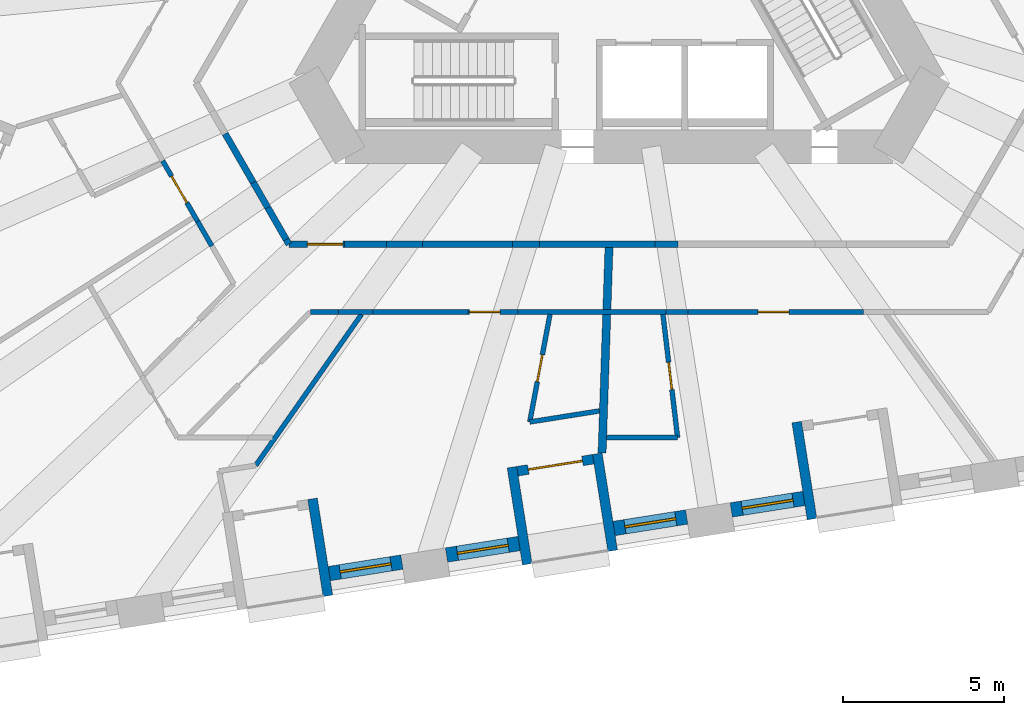
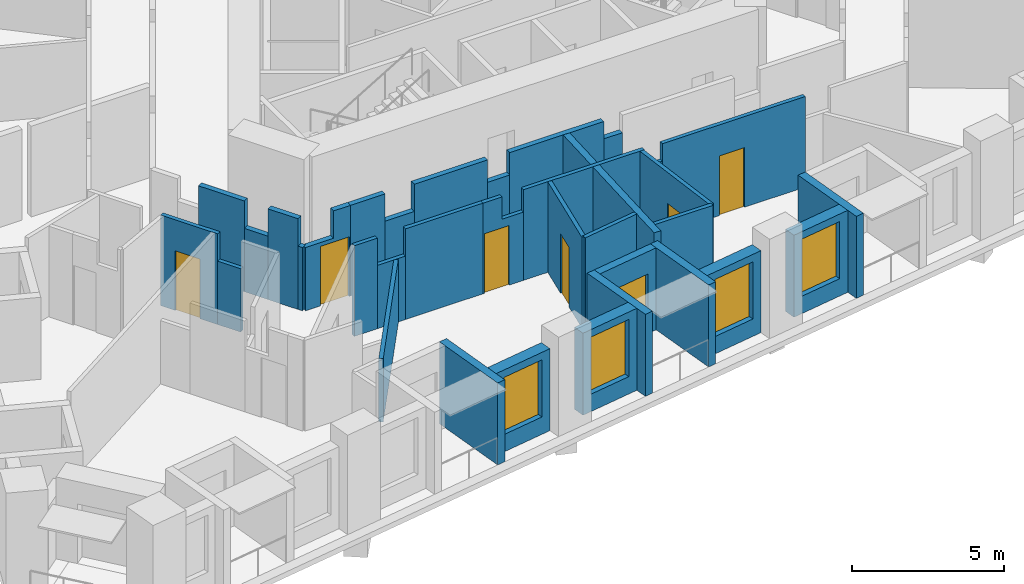
# One storey, part 3 of 14: 35 walls, 7 doors, 4 windows, 11 openings.
"""IFC4 building model written with IfcOpenShell, lengths in metres."""

import ifcopenshell
import ifcopenshell.guid

model = None  # the IFC model being written
_history = None  # IfcOwnerHistory: only IFC2X3 demands one
_inside = {}  # id of a spatial element -> (the spatial element, [elements in it])
_under = {}  # id of a project, library or spatial element -> (it, [spatial elements below it])
_declared = {}  # id of a project -> (the project, [libraries it declares])
_typed = {}  # id of a type object -> (the type object, [elements of that type])
_made_of = {}  # id of a material, layer set ... -> (it, [elements and type objects made of it])


def new_model(schema):
    """Start an empty IFC model of exactly this schema.

    Asked for "IFC4X3", IfcOpenShell would pick the latest addendum, in which some entities
    have other attributes; the version numbers below select the first issue.
    IFC2X3 requires an IfcOwnerHistory on every rooted entity: one is made here for all.
    """
    global model, _history
    if schema == "IFC4X3":
        model = ifcopenshell.file(schema_version=(4, 3, 0, 0))
    else:
        model = ifcopenshell.file(schema=schema)
    _inside.clear()
    _under.clear()
    _declared.clear()
    _typed.clear()
    _made_of.clear()
    _history = None
    if model.schema == "IFC2X3":
        org = make("IfcOrganization", Name="unknown")
        user = make(
            "IfcPersonAndOrganization",
            ThePerson=make("IfcPerson", FamilyName="unknown"),
            TheOrganization=org,
        )
        app = make(
            "IfcApplication",
            ApplicationDeveloper=org,
            Version="unknown",
            ApplicationFullName="unknown",
            ApplicationIdentifier="unknown",
        )
        _history = make(
            "IfcOwnerHistory",
            OwningUser=user,
            OwningApplication=app,
            ChangeAction="ADDED",
            CreationDate=0,
        )
    return model


def make(cls, **values):
    """One entity of the class cls with the attributes given. An attribute that is None is left unset."""
    return model.create_entity(
        cls, **{name: value for name, value in values.items() if value is not None}
    )


def rooted(cls, **values):
    """An entity with a GlobalId (a new one), such as an element, a storey or a relation."""
    return make(cls, GlobalId=ifcopenshell.guid.new(), OwnerHistory=_history, **values)


def si_unit(unit_type, name, prefix=None):
    """IfcSIUnit, for example si_unit("LENGTHUNIT", "METRE", prefix="MILLI")."""
    return make("IfcSIUnit", UnitType=unit_type, Prefix=prefix, Name=name)


def assignment(units):
    """IfcUnitAssignment: the units of a project."""
    return None if units is None else make("IfcUnitAssignment", Units=units)


def point(xyz):
    """IfcCartesianPoint."""
    return None if xyz is None else make("IfcCartesianPoint", Coordinates=xyz)


def direction(xyz):
    """IfcDirection."""
    return None if xyz is None else make("IfcDirection", DirectionRatios=xyz)


def frame(location, z_axis=None, x_axis=None):
    """IfcAxis2Placement3D, a coordinate frame: its origin and axes. An axis left out is left unset."""
    return make(
        "IfcAxis2Placement3D",
        Location=point(location),
        Axis=direction(z_axis),
        RefDirection=direction(x_axis),
    )


def frame_2d(location, x_axis=None):
    """IfcAxis2Placement2D, a coordinate frame in the plane: its origin and x axis."""
    return make(
        "IfcAxis2Placement2D", Location=point(location), RefDirection=direction(x_axis)
    )


def origin():
    """The frame at (0, 0, 0) with its axes left unset."""
    return frame((0.0, 0.0, 0.0))


def place(relative_to, where):
    """IfcLocalPlacement: puts the frame where relative to a parent placement (None: the world)."""
    return make(
        "IfcLocalPlacement", PlacementRelTo=relative_to, RelativePlacement=where
    )


def context(
    kind, dimensions, precision=None, world=None, true_north=None, identifier=None
):
    """IfcGeometricRepresentationContext, for example the 3D "Model" context."""
    return make(
        "IfcGeometricRepresentationContext",
        ContextIdentifier=identifier,
        ContextType=kind,
        CoordinateSpaceDimension=dimensions,
        Precision=precision,
        WorldCoordinateSystem=world,
        TrueNorth=true_north,
    )


def subcontext(parent, identifier, kind, view, scale=None):
    """IfcGeometricRepresentationSubContext, for example "Body" below "Model"."""
    return make(
        "IfcGeometricRepresentationSubContext",
        ContextIdentifier=identifier,
        ContextType=kind,
        ParentContext=parent,
        TargetScale=scale,
        TargetView=view,
    )


def project(units=None, contexts=None):
    """IfcProject with its units and contexts."""
    return rooted(
        "IfcProject",
        Name="project",
        RepresentationContexts=contexts,
        UnitsInContext=assignment(units),
    )


def spatial(cls, under=None, at=None, **own):
    """A site, building, storey or space (cls), placed at a placement, below another one or the project."""
    s = rooted(cls, ObjectPlacement=at, **own)
    if under is not None:
        _under.setdefault(under.id(), (under, []))[1].append(s)
    return s


def polyline(points):
    """IfcPolyline through the points."""
    return make("IfcPolyline", Points=[point(p) for p in points])


def profile(cls, at=None, kind="AREA", **sizes):
    """A parametric profile (cls). Its sizes go by their IFC names, for example OverallWidth=200.0."""
    return make(cls, ProfileType=kind, Position=at, **sizes)


def rectangle(**sizes):
    """IfcRectangleProfileDef."""
    return profile("IfcRectangleProfileDef", **sizes)


def outline(outer, holes=None, kind="AREA"):
    """IfcArbitraryClosedProfileDef: a profile drawn as a closed curve; with holes, ...WithVoids."""
    if holes is None:
        return make("IfcArbitraryClosedProfileDef", ProfileType=kind, OuterCurve=outer)
    return make(
        "IfcArbitraryProfileDefWithVoids",
        ProfileType=kind,
        OuterCurve=outer,
        InnerCurves=holes,
    )


def extrude(swept, where, along, depth):
    """IfcExtrudedAreaSolid: the profile swept, set in the frame where, extruded along a direction by depth."""
    return make(
        "IfcExtrudedAreaSolid",
        SweptArea=swept,
        Position=where,
        ExtrudedDirection=direction(along),
        Depth=depth,
    )


def shape(context_of_items, identifier, shape_type, items):
    """IfcShapeRepresentation: the items that make up one representation, for example the "Body"."""
    return make(
        "IfcShapeRepresentation",
        ContextOfItems=context_of_items,
        RepresentationIdentifier=identifier,
        RepresentationType=shape_type,
        Items=items,
    )


def material(Name=None, Category=None):
    """IfcMaterial."""
    return make("IfcMaterial", Name=Name, Category=Category)


def layer(
    of_material, thickness, ventilated=None, Name=None, Category=None, Priority=None
):
    """IfcMaterialLayer: one layer of a wall or slab, of a material (None: an air gap)."""
    return make(
        "IfcMaterialLayer",
        Material=of_material,
        LayerThickness=thickness,
        IsVentilated=ventilated,
        Name=Name,
        Category=Category,
        Priority=Priority,
    )


def layer_set(layers, Name=None):
    """IfcMaterialLayerSet."""
    return make("IfcMaterialLayerSet", MaterialLayers=layers, LayerSetName=Name)


def made_of(thing, what):
    """Note that an element or type object is made of a material, layer set ...; save() writes the relation."""
    if what is not None:
        _made_of.setdefault(what.id(), (what, []))[1].append(thing)
    return thing


def type_object(cls, material=None, **own):
    """A type object (cls), such as IfcWallType, which elements share."""
    return made_of(rooted(cls, **own), material)


def element(
    cls,
    number,
    at=None,
    inside=None,
    cuts=None,
    type_object=None,
    material=None,
    context=None,
    identifier="Body",
    shape_type=None,
    held_by="IfcProductDefinitionShape",
    body=None,
    shapes=None,
    **own,
):
    """One element of the class cls, such as IfcWall. Its Tag is "e" and its number.

    at: its placement. inside: the storey or other place that contains it. cuts: it is an
    opening in that element (IfcRelVoidsElement). A single representation is given by context,
    identifier, shape_type and body (its items); several are given by shapes. held_by: the class
    of the entity that holds the representations. save() writes the other relations.
    """
    e = rooted(cls, Tag="e%d" % number, ObjectPlacement=at, **own)
    if body is not None:
        shapes = [shape(context, identifier, shape_type, body)]
    if shapes is not None:
        e.Representation = make(held_by, Representations=shapes)
    if inside is not None:
        _inside.setdefault(inside.id(), (inside, []))[1].append(e)
    if cuts is not None:
        rooted(
            "IfcRelVoidsElement", RelatingBuildingElement=cuts, RelatedOpeningElement=e
        )
    if type_object is not None:
        _typed.setdefault(type_object.id(), (type_object, []))[1].append(e)
    return made_of(e, material)


def fill(opening, filler):
    """IfcRelFillsElement: the door or window that sits in an opening."""
    return rooted(
        "IfcRelFillsElement",
        RelatingOpeningElement=opening,
        RelatedBuildingElement=filler,
    )


def aggregate(whole, parts):
    """IfcRelAggregates: a whole, such as a stair, and the parts it consists of."""
    return rooted("IfcRelAggregates", RelatingObject=whole, RelatedObjects=parts)


def save(model, path):
    """Write the relations noted so far, then the file.

    IfcRelAggregates (storeys below a building ...), IfcRelContainedInSpatialStructure (elements
    in a storey), IfcRelDefinesByType, IfcRelAssociatesMaterial and IfcRelDeclares: one each for
    every whole, place, type object, material and project.
    """
    for whole, parts in _under.values():
        aggregate(whole, parts)
    for where, things in _inside.values():
        rooted(
            "IfcRelContainedInSpatialStructure",
            RelatedElements=things,
            RelatingStructure=where,
        )
    for kind, things in _typed.values():
        rooted("IfcRelDefinesByType", RelatedObjects=things, RelatingType=kind)
    for what, things in _made_of.values():
        rooted("IfcRelAssociatesMaterial", RelatedObjects=things, RelatingMaterial=what)
    for by, libraries in _declared.values():
        rooted("IfcRelDeclares", RelatingContext=by, RelatedDefinitions=libraries)
    model.write(path)


model = new_model("IFC4")

# Units and contexts
model_context = context("Model", 3, precision=1e-05, world=origin(), true_north=direction((0.0, 1.0)))
body_context = subcontext(model_context, "Body", "Model", "MODEL_VIEW")
ifc_project = project(units=[si_unit("LENGTHUNIT", "METRE"), si_unit("AREAUNIT", "SQUARE_METRE"), si_unit("VOLUMEUNIT", "CUBIC_METRE"), si_unit("PLANEANGLEUNIT", "RADIAN"), si_unit("MASSUNIT", "GRAM", prefix="KILO")], contexts=[model_context])

# Site, building, storey
site_placement = place(None, origin())
site = spatial("IfcSite", under=ifc_project, at=site_placement, CompositionType="ELEMENT")
building_placement = place(site_placement, origin())
building = spatial("IfcBuilding", under=site, at=building_placement, Name="Tramontana Tower", CompositionType="ELEMENT")
storey_placement = place(building_placement, frame((0.0, 0.0, 63.199951171875)))
storey = spatial("IfcBuildingStorey", under=building, at=storey_placement, Name="L13", CompositionType="ELEMENT", Elevation=63.199951171875)

# Walls
ifc_material_1 = material(Name="Blockwork", Category="masonry")
ifc_layer_1 = layer(ifc_material_1, 0.199951171875)
ifc_layer_set_1 = layer_set([ifc_layer_1], Name="ENTRY WALL 200")
wall_type_1 = type_object("IfcWallType", Name="ENTRY WALL 200", PredefinedType="SOLIDWALL", material=ifc_layer_set_1)
wall_1_placement = place(storey_placement, frame((1.8193359375, -9.25, 0.0), z_axis=(0.0, 0.0, 1.0), x_axis=(-1.0, 0.0, 0.0)))
element("IfcWall", 1, at=wall_1_placement, inside=storey, type_object=wall_type_1, Name="Wall v11-ew2-3", PredefinedType="SOLIDWALL", context=body_context, shape_type="SweptSolid", body=[
    extrude(rectangle(XDim=0.708740234375, YDim=0.199951171875, at=frame_2d((0.3544921875, 0.0))), origin(), (0.0, 0.0, 1.0), 2.949951171875),
])
wall_2_placement = place(storey_placement, frame((1.110595703125, -9.25, 0.0), z_axis=(0.0, 0.0, 1.0), x_axis=(-1.0, 0.0, 0.0)))
element("IfcWall", 2, at=wall_2_placement, inside=storey, type_object=wall_type_1, Name="Wall v11-ew2-4", PredefinedType="SOLIDWALL", context=body_context, shape_type="SweptSolid", body=[
    extrude(rectangle(XDim=3.585205078125, YDim=0.199951171875, at=frame_2d((1.79248046875, 0.0))), origin(), (0.0, 0.0, 1.0), 3.650146484375),
])
wall_3_placement = place(storey_placement, frame((-2.474609375, -9.25, 0.0), z_axis=(0.0, 0.0, 1.0), x_axis=(-1.0, 0.0, 0.0)))
element("IfcWall", 3, at=wall_3_placement, inside=storey, type_object=wall_type_1, Name="Wall v11-ew2-5", PredefinedType="SOLIDWALL", context=body_context, shape_type="SweptSolid", body=[
    extrude(rectangle(XDim=0.838134765625, YDim=0.199951171875, at=frame_2d((0.4189453125, 0.0))), origin(), (0.0, 0.0, 1.0), 2.75),
])
wall_4_placement = place(storey_placement, frame((-3.312744140625, -9.25, 0.0), z_axis=(0.0, 0.0, 1.0), x_axis=(-1.0, 0.0, 0.0)))
element("IfcWall", 4, at=wall_4_placement, inside=storey, type_object=wall_type_1, Name="Wall v11-ew2-6", PredefinedType="SOLIDWALL", context=body_context, shape_type="SweptSolid", body=[
    extrude(rectangle(XDim=2.793701171875, YDim=0.199951171875, at=frame_2d((1.39697265625, 0.0))), origin(), (0.0, 0.0, 1.0), 3.650146484375),
])
wall_5_placement = place(storey_placement, frame((-6.1064453125, -9.25, 0.0), z_axis=(0.0, 0.0, 1.0), x_axis=(-1.0, 0.0, 0.0)))
element("IfcWall", 5, at=wall_5_placement, inside=storey, type_object=wall_type_1, Name="Wall v11-ew2-7", PredefinedType="SOLIDWALL", context=body_context, shape_type="SweptSolid", body=[
    extrude(rectangle(XDim=1.10888671875, YDim=0.199951171875, at=frame_2d((0.554443359375, 0.0))), origin(), (0.0, 0.0, 1.0), 2.550048828125),
])
wall_6_placement = place(storey_placement, frame((-7.21533203125, -9.25, 0.0), z_axis=(0.0, 0.0, 1.0), x_axis=(-1.0, 0.0, 0.0)))
element("IfcWall", 6, at=wall_6_placement, inside=storey, type_object=wall_type_1, Name="Wall v11-ew2-8", PredefinedType="SOLIDWALL", context=body_context, shape_type="SweptSolid", body=[
    extrude(rectangle(XDim=1.3125, YDim=0.199951171875, at=frame_2d((0.65625, 0.0))), origin(), (0.0, 0.0, 1.0), 3.650146484375),
])

# Wall, opening, door
wall_7_placement = place(storey_placement, frame((-10.248046875, -9.25, 0.0), z_axis=(0.0, 0.0, 1.0), x_axis=(1.0, 0.0, 0.0)))
wall_7 = element("IfcWall", 7, at=wall_7_placement, inside=storey, type_object=wall_type_1, Name="Wall v11-ew2-9", PredefinedType="SOLIDWALL", context=body_context, shape_type="SweptSolid", body=[
    extrude(outline(polyline([(0.0, 0.0), (1.72021484375, 0.0), (1.72021484375, 3.650146484375), (1.0703125, 3.650146484375), (1.0703125, 2.550048828125), (0.0, 2.550048828125), (0.0, 0.0)])), frame((0.0, 0.10009765625, 0.0), z_axis=(0.0, -1.0, 0.0), x_axis=(1.0, 0.0, 0.0)), (0.0, 0.0, 1.0), 0.199951171875),
])
opening_1_placement = place(wall_7_placement, frame((0.570068359375, 0.0, 0.0)))
opening_1 = element("IfcOpeningElement", 8, at=opening_1_placement, cuts=wall_7, Name="Opening B1B-30", PredefinedType="OPENING", context=body_context, shape_type="SweptSolid", body=[
    extrude(rectangle(XDim=1.10009765625, YDim=2.39990234375, at=frame_2d((0.550048828125, 1.199951171875))), frame((0.0, 0.10986328125, 0.0), z_axis=(0.0, -1.0, 0.0), x_axis=(1.0, 0.0, 0.0)), (0.0, 0.0, 1.0), 0.219970703125),
])
ifc_material_2 = material(Name="Painted timber", Category="wood")
door_type_1 = type_object("IfcDoorType", Name="DOOR ENTRY 1100", OperationType="SINGLE_SWING_LEFT", PredefinedType="DOOR", material=ifc_material_2)
door_1_placement = place(opening_1_placement, origin())
door_1 = element("IfcDoor", 9, at=door_1_placement, inside=storey, type_object=door_type_1, Name="Door B1B-30", OperationType="SINGLE_SWING_RIGHT", OverallHeight=2.39990234375, OverallWidth=1.10009765625, PredefinedType="DOOR", context=body_context, shape_type="SweptSolid", body=[
    extrude(rectangle(XDim=1.10009765625, YDim=2.39990234375, at=frame_2d((0.550048828125, 1.199951171875))), frame((0.0, 0.02490234375, 0.0), z_axis=(0.0, -1.0, 0.0), x_axis=(1.0, 0.0, 0.0)), (0.0, 0.0, 1.0), 0.050048828125),
])
fill(opening_1, door_1)

# Walls
wall_8_placement = place(storey_placement, frame((-10.248046875, -9.25, 0.0), z_axis=(0.0, 0.0, 1.0), x_axis=(-0.499516518495, 0.866304362075, 0.0)))
element("IfcWall", 10, at=wall_8_placement, inside=storey, type_object=wall_type_1, Name="Wall v11-ew3-0", PredefinedType="SOLIDWALL", context=body_context, shape_type="SweptSolid", body=[
    extrude(rectangle(XDim=0.171142578125, YDim=0.199951171875, at=frame_2d((0.08544921875, 0.0))), origin(), (0.0, 0.0, 1.0), 2.550048828125),
])
wall_9_placement = place(storey_placement, frame((-10.33349609375, -9.101806640625, 0.0), z_axis=(0.0, 0.0, 1.0), x_axis=(-0.500049527193, 0.865996807358, 0.0)))
element("IfcWall", 11, at=wall_9_placement, inside=storey, type_object=wall_type_1, Name="Wall v11-ew3-1", PredefinedType="SOLIDWALL", context=body_context, shape_type="SweptSolid", body=[
    extrude(rectangle(XDim=1.1416015625, YDim=0.199951171875, at=frame_2d((0.57080078125, 0.0))), origin(), (0.0, 0.0, 1.0), 3.650146484375),
])
wall_10_placement = place(storey_placement, frame((-10.904296875, -8.11328125, 0.0), z_axis=(0.0, 0.0, 1.0), x_axis=(-0.499948710669, 0.866055013668, 0.0)))
element("IfcWall", 12, at=wall_10_placement, inside=storey, type_object=wall_type_1, Name="Wall v11-ew3-2", PredefinedType="SOLIDWALL", context=body_context, shape_type="SweptSolid", body=[
    extrude(rectangle(XDim=0.90283203125, YDim=0.199951171875, at=frame_2d((0.451416015625, 0.0))), origin(), (0.0, 0.0, 1.0), 2.550048828125),
])
wall_11_placement = place(storey_placement, frame((-11.355712890625, -7.331298828125, 0.0), z_axis=(0.0, 0.0, 1.0), x_axis=(-0.50000494408, 0.866022549299, 0.0)))
element("IfcWall", 13, at=wall_11_placement, inside=storey, type_object=wall_type_1, Name="Wall v11-ew3-3", PredefinedType="SOLIDWALL", context=body_context, shape_type="SweptSolid", body=[
    extrude(rectangle(XDim=1.74560546875, YDim=0.199951171875, at=frame_2d((0.872802734375, 0.0))), origin(), (0.0, 0.0, 1.0), 3.650146484375),
])

# Wall, opening, window
ifc_material_3 = material(Name="Precast concrete 60 MPa", Category="concrete")
ifc_layer_2 = layer(ifc_material_3, 0.449951171875)
ifc_layer_set_2 = layer_set([ifc_layer_2], Name="Precast concrete 60 MPa, 450 mm")
wall_type_2 = type_object("IfcWallType", Name="EW1 Stone-faced precast wall 450", PredefinedType="SOLIDWALL", material=ifc_layer_set_2)
wall_12_placement = place(storey_placement, frame((-8.99658203125, -19.47216796875, 0.0), z_axis=(0.0, 0.0, 1.0), x_axis=(0.987685675151, 0.156451293065, 0.0)))
wall_12 = element("IfcWall", 14, at=wall_12_placement, inside=storey, type_object=wall_type_2, Name="External wall L13 face 1 bay 2", PredefinedType="SOLIDWALL", context=body_context, shape_type="SweptSolid", body=[
    extrude(rectangle(XDim=2.282958984375, YDim=0.449951171875, at=frame_2d((1.1416015625, 0.0))), origin(), (0.0, 0.0, 1.0), 3.300048828125),
])
opening_2_placement = place(wall_12_placement, frame((0.341552734375, 0.0, 0.699951171875)))
opening_2 = element("IfcOpeningElement", 15, at=opening_2_placement, cuts=wall_12, Name="Opening M1", PredefinedType="OPENING", context=body_context, shape_type="SweptSolid", body=[
    extrude(rectangle(XDim=1.60009765625, YDim=2.300048828125, at=frame_2d((0.800048828125, 1.14990234375))), frame((0.0, 0.23486328125, 0.0), z_axis=(0.0, -1.0, 0.0), x_axis=(1.0, 0.0, 0.0)), (0.0, 0.0, 1.0), 0.469970703125),
])
ifc_material_4 = material(Name="Aluminum frame, double glazing unit", Category="aluminium")
window_type = type_object("IfcWindowType", Name="M1 Window 1.6 x 2.3", PartitioningType="SINGLE_PANEL", PredefinedType="WINDOW", material=ifc_material_4)
window_1_placement = place(opening_2_placement, origin())
window_1 = element("IfcWindow", 16, at=window_1_placement, inside=storey, type_object=window_type, Name="Window M1 L13 face 1 module 6", OverallHeight=2.300048828125, OverallWidth=1.60009765625, PartitioningType="SINGLE_PANEL", PredefinedType="WINDOW", context=body_context, shape_type="SweptSolid", body=[
    extrude(rectangle(XDim=1.60009765625, YDim=2.300048828125, at=frame_2d((0.800048828125, 1.14990234375))), frame((0.0, 0.030029296875, 0.0), z_axis=(0.0, -1.0, 0.0), x_axis=(1.0, 0.0, 0.0)), (0.0, 0.0, 1.0), 0.06005859375),
])
fill(opening_2, window_1)

wall_13_placement = place(storey_placement, frame((-5.35888671875, -18.89599609375, 0.0), z_axis=(0.0, 0.0, 1.0), x_axis=(0.987685675151, 0.156451293065, 0.0)))
wall_13 = element("IfcWall", 17, at=wall_13_placement, inside=storey, type_object=wall_type_2, Name="External wall L13 face 1 bay 3", PredefinedType="SOLIDWALL", context=body_context, shape_type="SweptSolid", body=[
    extrude(rectangle(XDim=2.282958984375, YDim=0.449951171875, at=frame_2d((1.1416015625, 0.0))), origin(), (0.0, 0.0, 1.0), 3.300048828125),
])
opening_3_placement = place(wall_13_placement, frame((0.341552734375, 0.0, 0.699951171875)))
opening_3 = element("IfcOpeningElement", 18, at=opening_3_placement, cuts=wall_13, Name="Opening M1", PredefinedType="OPENING", context=body_context, shape_type="SweptSolid", body=[
    extrude(rectangle(XDim=1.60009765625, YDim=2.300048828125, at=frame_2d((0.800048828125, 1.14990234375))), frame((0.0, 0.23486328125, 0.0), z_axis=(0.0, -1.0, 0.0), x_axis=(1.0, 0.0, 0.0)), (0.0, 0.0, 1.0), 0.469970703125),
])
window_2_placement = place(opening_3_placement, origin())
window_2 = element("IfcWindow", 19, at=window_2_placement, inside=storey, type_object=window_type, Name="Window M1 L13 face 1 module 7", OverallHeight=2.300048828125, OverallWidth=1.60009765625, PartitioningType="SINGLE_PANEL", PredefinedType="WINDOW", context=body_context, shape_type="SweptSolid", body=[
    extrude(rectangle(XDim=1.60009765625, YDim=2.300048828125, at=frame_2d((0.800048828125, 1.14990234375))), frame((0.0, 0.030029296875, 0.0), z_axis=(0.0, -1.0, 0.0), x_axis=(1.0, 0.0, 0.0)), (0.0, 0.0, 1.0), 0.06005859375),
])
fill(opening_3, window_2)

wall_14_placement = place(storey_placement, frame((-0.15771484375, -18.072265625, 0.0), z_axis=(0.0, 0.0, 1.0), x_axis=(0.987685675151, 0.156451293065, 0.0)))
wall_14 = element("IfcWall", 20, at=wall_14_placement, inside=storey, type_object=wall_type_2, Name="External wall L13 face 1 bay 3", PredefinedType="SOLIDWALL", context=body_context, shape_type="SweptSolid", body=[
    extrude(rectangle(XDim=2.282958984375, YDim=0.449951171875, at=frame_2d((1.1416015625, 0.0))), origin(), (0.0, 0.0, 1.0), 3.300048828125),
])
opening_4_placement = place(wall_14_placement, frame((0.341552734375, 0.0, 0.699951171875)))
opening_4 = element("IfcOpeningElement", 21, at=opening_4_placement, cuts=wall_14, Name="Opening M1", PredefinedType="OPENING", context=body_context, shape_type="SweptSolid", body=[
    extrude(rectangle(XDim=1.60009765625, YDim=2.300048828125, at=frame_2d((0.800048828125, 1.14990234375))), frame((0.0, 0.23486328125, 0.0), z_axis=(0.0, -1.0, 0.0), x_axis=(1.0, 0.0, 0.0)), (0.0, 0.0, 1.0), 0.469970703125),
])
window_3_placement = place(opening_4_placement, origin())
window_3 = element("IfcWindow", 22, at=window_3_placement, inside=storey, type_object=window_type, Name="Window M1 L13 face 1 module 9", OverallHeight=2.300048828125, OverallWidth=1.60009765625, PartitioningType="SINGLE_PANEL", PredefinedType="WINDOW", context=body_context, shape_type="SweptSolid", body=[
    extrude(rectangle(XDim=1.60009765625, YDim=2.300048828125, at=frame_2d((0.800048828125, 1.14990234375))), frame((0.0, 0.030029296875, 0.0), z_axis=(0.0, -1.0, 0.0), x_axis=(1.0, 0.0, 0.0)), (0.0, 0.0, 1.0), 0.06005859375),
])
fill(opening_4, window_3)

wall_15_placement = place(storey_placement, frame((3.479736328125, -17.49609375, 0.0), z_axis=(0.0, 0.0, 1.0), x_axis=(0.987685675151, 0.156451293065, 0.0)))
wall_15 = element("IfcWall", 23, at=wall_15_placement, inside=storey, type_object=wall_type_2, Name="External wall L13 face 1 bay 4", PredefinedType="SOLIDWALL", context=body_context, shape_type="SweptSolid", body=[
    extrude(rectangle(XDim=2.282958984375, YDim=0.449951171875, at=frame_2d((1.1416015625, 0.0))), origin(), (0.0, 0.0, 1.0), 3.300048828125),
])
opening_5_placement = place(wall_15_placement, frame((0.341552734375, 0.0, 0.699951171875)))
opening_5 = element("IfcOpeningElement", 24, at=opening_5_placement, cuts=wall_15, Name="Opening M1", PredefinedType="OPENING", context=body_context, shape_type="SweptSolid", body=[
    extrude(rectangle(XDim=1.60009765625, YDim=2.300048828125, at=frame_2d((0.800048828125, 1.14990234375))), frame((0.0, 0.23486328125, 0.0), z_axis=(0.0, -1.0, 0.0), x_axis=(1.0, 0.0, 0.0)), (0.0, 0.0, 1.0), 0.469970703125),
])
window_4_placement = place(opening_5_placement, origin())
window_4 = element("IfcWindow", 25, at=window_4_placement, inside=storey, type_object=window_type, Name="Window M1 L13 face 1 module 10", OverallHeight=2.300048828125, OverallWidth=1.60009765625, PartitioningType="SINGLE_PANEL", PredefinedType="WINDOW", context=body_context, shape_type="SweptSolid", body=[
    extrude(rectangle(XDim=1.60009765625, YDim=2.300048828125, at=frame_2d((0.800048828125, 1.14990234375))), frame((0.0, 0.030029296875, 0.0), z_axis=(0.0, -1.0, 0.0), x_axis=(1.0, 0.0, 0.0)), (0.0, 0.0, 1.0), 0.06005859375),
])
fill(opening_5, window_4)

# Wall
ifc_material_5 = material(Name="Precast concrete 60 MPa", Category="concrete")
ifc_layer_3 = layer(ifc_material_5, 0.300048828125)
ifc_layer_set_3 = layer_set([ifc_layer_3], Name="LW1 Stone-faced loggia wall 300")
wall_type_3 = type_object("IfcWallType", Name="LW1 Stone-faced loggia wall 300", PredefinedType="SOLIDWALL", material=ifc_layer_set_3)
wall_16_placement = place(storey_placement, frame((-9.0390625, -20.162353515625, 0.0), z_axis=(0.0, 0.0, 1.0), x_axis=(-0.156488687365, 0.987679751097, 0.0)))
element("IfcWall", 26, at=wall_16_placement, inside=storey, type_object=wall_type_3, Name="Loggia return L13 G1S1.4b", PredefinedType="SOLIDWALL", context=body_context, shape_type="SweptSolid", body=[
    extrude(rectangle(XDim=3.050048828125, YDim=0.300048828125, at=frame_2d((1.52490234375, 0.0))), origin(), (0.0, 0.0, 1.0), 3.300048828125),
])

# Wall, opening, door
wall_17_placement = place(storey_placement, frame((-3.15576171875, -16.294189453125, 0.0), z_axis=(0.0, 0.0, 1.0), x_axis=(0.987685586014, 0.156451855793, 0.0)))
wall_17 = element("IfcWall", 27, at=wall_17_placement, inside=storey, type_object=wall_type_3, Name="Loggia wall L13 G1S1.7", PredefinedType="SOLIDWALL", context=body_context, shape_type="SweptSolid", body=[
    extrude(rectangle(XDim=2.3828125, YDim=0.300048828125, at=frame_2d((1.19140625, 0.0))), origin(), (0.0, 0.0, 1.0), 3.300048828125),
])
opening_6_placement = place(wall_17_placement, frame((0.341552734375, 0.0, 0.0)))
opening_6 = element("IfcOpeningElement", 28, at=opening_6_placement, cuts=wall_17, Name="Opening BD-1S1-07", PredefinedType="OPENING", context=body_context, shape_type="SweptSolid", body=[
    extrude(rectangle(XDim=1.699951171875, YDim=2.39990234375, at=frame_2d((0.85009765625, 1.199951171875))), frame((0.0, 0.159912109375, 0.0), z_axis=(0.0, -1.0, 0.0), x_axis=(1.0, 0.0, 0.0)), (0.0, 0.0, 1.0), 0.320068359375),
])
ifc_material_6 = material(Name="Aluminum frame, double glazing unit", Category="aluminium")
door_type_2 = type_object("IfcDoorType", Name="BD1 Sliding door 1.7 x 2.4", OperationType="SLIDING_TO_LEFT", PredefinedType="DOOR", material=ifc_material_6)
door_2_placement = place(opening_6_placement, origin())
door_2 = element("IfcDoor", 29, at=door_2_placement, inside=storey, type_object=door_type_2, Name="Loggia door L13 G1S1.7", OperationType="SLIDING_TO_LEFT", OverallHeight=2.39990234375, OverallWidth=1.699951171875, PredefinedType="DOOR", context=body_context, shape_type="SweptSolid", body=[
    extrude(rectangle(XDim=1.699951171875, YDim=2.39990234375, at=frame_2d((0.85009765625, 1.199951171875))), frame((0.0, 0.02490234375, 0.0), z_axis=(0.0, -1.0, 0.0), x_axis=(1.0, 0.0, 0.0)), (0.0, 0.0, 1.0), 0.050048828125),
])
fill(opening_6, door_2)

# Walls
for number, where, z_axis, x_axis, name in (
    (30, (-2.850341796875, -19.18212890625, 0.0), (0.0, 0.0, 1.0), (-0.156410600741, 0.987692120033, 0.0), "Loggia return L13 G1S1.7a"),
    (31, (-0.200439453125, -18.762451171875, 0.0), (0.0, 0.0, 1.0), (-0.156410600741, 0.987692120033, 0.0), "Loggia return L13 G1S1.7b"),
    (32, (5.988525390625, -17.7822265625, 0.0), (0.0, 0.0, 1.0), (-0.156488687365, 0.987679751097, 0.0), "Loggia return L13 G1S1.10a"),
):
    element("IfcWall", number, at=place(storey_placement, frame(where, z_axis=z_axis, x_axis=x_axis)), inside=storey, type_object=wall_type_3, Name=name, PredefinedType="SOLIDWALL", context=body_context, shape_type="SweptSolid", body=[
        extrude(rectangle(XDim=3.050048828125, YDim=0.300048828125, at=frame_2d((1.52490234375, 0.0))), origin(), (0.0, 0.0, 1.0), 3.300048828125),
    ])
ifc_material_7 = material(Name="Gypsum board partition")
ifc_layer_4 = layer(ifc_material_7, 0.14990234375)
ifc_layer_set_4 = layer_set([ifc_layer_4], Name="PARTITION 150")
wall_type_4 = type_object("IfcWallType", Name="PARTITION 150", PredefinedType="PARTITIONING", material=ifc_layer_set_4)
wall_18_placement = place(storey_placement, frame((-12.641845703125, -9.3037109375, 0.0), z_axis=(0.0, 0.0, 1.0), x_axis=(-0.500027377864, 0.86600959659, 0.0)))
element("IfcWall", 33, at=wall_18_placement, inside=storey, type_object=wall_type_4, Name="Wall v11-pw11-1", PredefinedType="PARTITIONING", context=body_context, shape_type="SweptSolid", body=[
    extrude(rectangle(XDim=0.8779296875, YDim=0.14990234375, at=frame_2d((0.43896484375, 0.0))), origin(), (0.0, 0.0, 1.0), 2.550048828125),
])

# Wall, opening, door
wall_19_placement = place(storey_placement, frame((-13.080810546875, -8.54345703125, 0.0), z_axis=(0.0, 0.0, 1.0), x_axis=(-0.499978335414, 0.866037911478, 0.0)))
wall_19 = element("IfcWall", 34, at=wall_19_placement, inside=storey, type_object=wall_type_4, Name="Wall v11-pw11-2", PredefinedType="PARTITIONING", context=body_context, shape_type="SweptSolid", body=[
    extrude(rectangle(XDim=2.1748046875, YDim=0.14990234375, at=frame_2d((1.08740234375, 0.0))), origin(), (0.0, 0.0, 1.0), 3.650146484375),
])
opening_7_placement = place(wall_19_placement, frame((0.671142578125, 0.0, 0.0)))
opening_7 = element("IfcOpeningElement", 35, at=opening_7_placement, cuts=wall_19, Name="Opening B1B-15", PredefinedType="OPENING", context=body_context, shape_type="SweptSolid", body=[
    extrude(rectangle(XDim=0.949951171875, YDim=2.39990234375, at=frame_2d((0.47509765625, 1.199951171875))), frame((0.0, 0.0849609375, 0.0), z_axis=(0.0, -1.0, 0.0), x_axis=(1.0, 0.0, 0.0)), (0.0, 0.0, 1.0), 0.169921875),
])
ifc_material_8 = material(Name="Painted timber", Category="wood")
door_type_3 = type_object("IfcDoorType", Name="DOOR ROOM 950", OperationType="SINGLE_SWING_LEFT", PredefinedType="DOOR", material=ifc_material_8)
door_3_placement = place(opening_7_placement, origin())
door_3 = element("IfcDoor", 36, at=door_3_placement, inside=storey, type_object=door_type_3, Name="Door B1B-15", OperationType="SINGLE_SWING_LEFT", OverallHeight=2.39990234375, OverallWidth=0.949951171875, PredefinedType="DOOR", context=body_context, shape_type="SweptSolid", body=[
    extrude(rectangle(XDim=0.949951171875, YDim=2.39990234375, at=frame_2d((0.47509765625, 1.199951171875))), frame((0.0, 0.02490234375, 0.0), z_axis=(0.0, -1.0, 0.0), x_axis=(1.0, 0.0, 0.0)), (0.0, 0.0, 1.0), 0.050048828125),
])
fill(opening_7, door_3)

# Wall
wall_20_placement = place(storey_placement, frame((-7.9970703125, -11.425048828125, 0.0), z_axis=(0.0, 0.0, 1.0), x_axis=(-0.573453752882, -0.819237934489, 0.0)))
element("IfcWall", 37, at=wall_20_placement, inside=storey, type_object=wall_type_4, Name="Wall v11-pw23-0", PredefinedType="PARTITIONING", context=body_context, shape_type="SweptSolid", body=[
    extrude(rectangle(XDim=5.721435546875, YDim=0.14990234375, at=frame_2d((2.86083984375, 0.0))), origin(), (0.0, 0.0, 1.0), 2.550048828125),
])

# Wall, opening, door
wall_21_placement = place(storey_placement, frame((-2.146728515625, -11.425048828125, 0.0), z_axis=(0.0, 0.0, 1.0), x_axis=(-0.184665813639, -0.982801372238, 0.0)))
wall_21 = element("IfcWall", 38, at=wall_21_placement, inside=storey, type_object=wall_type_4, Name="Wall v11-pw29", PredefinedType="PARTITIONING", context=body_context, shape_type="SweptSolid", body=[
    extrude(rectangle(XDim=3.39892578125, YDim=0.14990234375, at=frame_2d((1.699462890625, 0.0))), origin(), (0.0, 0.0, 1.0), 3.650146484375),
])
opening_8_placement = place(wall_21_placement, frame((1.2744140625, 0.0, 0.0)))
opening_8 = element("IfcOpeningElement", 39, at=opening_8_placement, cuts=wall_21, Name="Opening B1B-19", PredefinedType="OPENING", context=body_context, shape_type="SweptSolid", body=[
    extrude(rectangle(XDim=0.85009765625, YDim=2.39990234375, at=frame_2d((0.425048828125, 1.199951171875))), frame((0.0, 0.0849609375, 0.0), z_axis=(0.0, -1.0, 0.0), x_axis=(1.0, 0.0, 0.0)), (0.0, 0.0, 1.0), 0.169921875),
])
ifc_material_9 = material(Name="Painted timber", Category="wood")
door_type_4 = type_object("IfcDoorType", Name="DOOR BATH 850", OperationType="SINGLE_SWING_LEFT", PredefinedType="DOOR", material=ifc_material_9)
door_4_placement = place(opening_8_placement, origin())
door_4 = element("IfcDoor", 40, at=door_4_placement, inside=storey, type_object=door_type_4, Name="Door B1B-19", OperationType="SINGLE_SWING_LEFT", OverallHeight=2.39990234375, OverallWidth=0.85009765625, PredefinedType="DOOR", context=body_context, shape_type="SweptSolid", body=[
    extrude(rectangle(XDim=0.85009765625, YDim=2.39990234375, at=frame_2d((0.425048828125, 1.199951171875))), frame((0.0, 0.02490234375, 0.0), z_axis=(0.0, -1.0, 0.0), x_axis=(1.0, 0.0, 0.0)), (0.0, 0.0, 1.0), 0.050048828125),
])
fill(opening_8, door_4)

# Wall
wall_22_placement = place(storey_placement, frame((-0.610595703125, -14.4228515625, 0.0), z_axis=(0.0, 0.0, 1.0), x_axis=(-0.987684230158, -0.156460415112, 0.0)))
element("IfcWall", 41, at=wall_22_placement, inside=storey, type_object=wall_type_4, Name="Wall v11-pw30", PredefinedType="PARTITIONING", context=body_context, shape_type="SweptSolid", body=[
    extrude(rectangle(XDim=2.19091796875, YDim=0.14990234375, at=frame_2d((1.095458984375, 0.0))), origin(), (0.0, 0.0, 1.0), 3.650146484375),
])

# Wall, opening, door
wall_23_placement = place(storey_placement, frame((1.814697265625, -15.25, 0.0), z_axis=(0.0, 0.0, 1.0), x_axis=(-0.118142953824, 0.992996597407, 0.0)))
wall_23 = element("IfcWall", 42, at=wall_23_placement, inside=storey, type_object=wall_type_4, Name="Wall v11-pw33", PredefinedType="PARTITIONING", context=body_context, shape_type="SweptSolid", body=[
    extrude(rectangle(XDim=3.851806640625, YDim=0.14990234375, at=frame_2d((1.92578125, 0.0))), origin(), (0.0, 0.0, 1.0), 3.650146484375),
])
opening_9_placement = place(wall_23_placement, frame((1.5009765625, 0.0, 0.0)))
opening_9 = element("IfcOpeningElement", 43, at=opening_9_placement, cuts=wall_23, Name="Opening B1B-27", PredefinedType="OPENING", context=body_context, shape_type="SweptSolid", body=[
    extrude(rectangle(XDim=0.85009765625, YDim=2.39990234375, at=frame_2d((0.425048828125, 1.199951171875))), frame((0.0, 0.0849609375, 0.0), z_axis=(0.0, -1.0, 0.0), x_axis=(1.0, 0.0, 0.0)), (0.0, 0.0, 1.0), 0.169921875),
])
door_5_placement = place(opening_9_placement, origin())
door_5 = element("IfcDoor", 44, at=door_5_placement, inside=storey, type_object=door_type_4, Name="Door B1B-27", OperationType="SINGLE_SWING_LEFT", OverallHeight=2.39990234375, OverallWidth=0.85009765625, PredefinedType="DOOR", context=body_context, shape_type="SweptSolid", body=[
    extrude(rectangle(XDim=0.85009765625, YDim=2.39990234375, at=frame_2d((0.425048828125, 1.199951171875))), frame((0.0, 0.02490234375, 0.0), z_axis=(0.0, -1.0, 0.0), x_axis=(1.0, 0.0, 0.0)), (0.0, 0.0, 1.0), 0.050048828125),
])
fill(opening_9, door_5)

# Wall
wall_24_placement = place(storey_placement, frame((1.814697265625, -15.25, 0.0), z_axis=(0.0, 0.0, 1.0), x_axis=(-1.0, 0.0, 0.0)))
element("IfcWall", 45, at=wall_24_placement, inside=storey, type_object=wall_type_4, Name="Wall v11-pw34", PredefinedType="PARTITIONING", context=body_context, shape_type="SweptSolid", body=[
    extrude(rectangle(XDim=2.202880859375, YDim=0.14990234375, at=frame_2d((1.1015625, 0.0))), origin(), (0.0, 0.0, 1.0), 3.650146484375),
])

# Wall, opening, door
wall_25_placement = place(storey_placement, frame((7.582275390625, -11.35009765625, 0.0), z_axis=(0.0, 0.0, 1.0), x_axis=(-1.0, 0.0, 0.0)))
wall_25 = element("IfcWall", 46, at=wall_25_placement, inside=storey, type_object=wall_type_4, Name="Wall v11-pw43-2", PredefinedType="PARTITIONING", context=body_context, shape_type="SweptSolid", body=[
    extrude(rectangle(XDim=5.44287109375, YDim=0.14990234375, at=frame_2d((2.721435546875, 0.0))), origin(), (0.0, 0.0, 1.0), 3.650146484375),
])
opening_10_placement = place(wall_25_placement, frame((2.31591796875, 0.0, 0.0)))
opening_10 = element("IfcOpeningElement", 47, at=opening_10_placement, cuts=wall_25, Name="Opening B1B-24", PredefinedType="OPENING", context=body_context, shape_type="SweptSolid", body=[
    extrude(rectangle(XDim=0.949951171875, YDim=2.39990234375, at=frame_2d((0.47509765625, 1.199951171875))), frame((0.0, 0.0849609375, 0.0), z_axis=(0.0, -1.0, 0.0), x_axis=(1.0, 0.0, 0.0)), (0.0, 0.0, 1.0), 0.169921875),
])
door_6_placement = place(opening_10_placement, origin())
door_6 = element("IfcDoor", 48, at=door_6_placement, inside=storey, type_object=door_type_3, Name="Door B1B-24", OperationType="SINGLE_SWING_RIGHT", OverallHeight=2.39990234375, OverallWidth=0.949951171875, PredefinedType="DOOR", context=body_context, shape_type="SweptSolid", body=[
    extrude(rectangle(XDim=0.949951171875, YDim=2.39990234375, at=frame_2d((0.47509765625, 1.199951171875))), frame((0.0, 0.02490234375, 0.0), z_axis=(0.0, -1.0, 0.0), x_axis=(1.0, 0.0, 0.0)), (0.0, 0.0, 1.0), 0.050048828125),
])
fill(opening_10, door_6)

# Walls
wall_26_placement = place(storey_placement, frame((2.139404296875, -11.35009765625, 0.0), z_axis=(0.0, 0.0, 1.0), x_axis=(-1.0, 0.0, 0.0)))
element("IfcWall", 49, at=wall_26_placement, inside=storey, type_object=wall_type_4, Name="Wall v11-pw43-3", PredefinedType="PARTITIONING", context=body_context, shape_type="SweptSolid", body=[
    extrude(rectangle(XDim=0.683349609375, YDim=0.14990234375, at=frame_2d((0.341796875, 0.0))), origin(), (0.0, 0.0, 1.0), 2.949951171875),
])
wall_27_placement = place(storey_placement, frame((1.4560546875, -11.35009765625, 0.0), z_axis=(0.0, 0.0, 1.0), x_axis=(-1.0, 0.0, 0.0)))
element("IfcWall", 50, at=wall_27_placement, inside=storey, type_object=wall_type_4, Name="Wall v11-pw43-4", PredefinedType="PARTITIONING", context=body_context, shape_type="SweptSolid", body=[
    extrude(rectangle(XDim=4.600830078125, YDim=0.14990234375, at=frame_2d((2.30029296875, 0.0))), origin(), (0.0, 0.0, 1.0), 3.650146484375),
])

# Wall, opening, door
wall_28_placement = place(storey_placement, frame((-3.144775390625, -11.35009765625, 0.0), z_axis=(0.0, 0.0, 1.0), x_axis=(-1.0, 0.0, 0.0)))
wall_28 = element("IfcWall", 51, at=wall_28_placement, inside=storey, type_object=wall_type_4, Name="Wall v11-pw43-5", PredefinedType="PARTITIONING", context=body_context, shape_type="SweptSolid", body=[
    extrude(outline(polyline([(0.0, 0.0), (1.545166015625, 0.0), (1.54541015625, 3.650146484375), (0.81201171875, 3.650146484375), (0.81201171875, 2.75), (0.0, 2.75), (0.0, 0.0)])), frame((0.0, 0.074951171875, 0.0), z_axis=(0.0, -1.0, 0.0), x_axis=(1.0, 0.0, 0.0)), (0.0, 0.0, 1.0), 0.14990234375),
])
opening_11_placement = place(wall_28_placement, frame((0.54541015625, 0.0, 0.0)))
opening_11 = element("IfcOpeningElement", 52, at=opening_11_placement, cuts=wall_28, Name="Opening B1B-17", PredefinedType="OPENING", context=body_context, shape_type="SweptSolid", body=[
    extrude(rectangle(XDim=0.949951171875, YDim=2.39990234375, at=frame_2d((0.47509765625, 1.199951171875))), frame((0.0, 0.0849609375, 0.0), z_axis=(0.0, -1.0, 0.0), x_axis=(1.0, 0.0, 0.0)), (0.0, 0.0, 1.0), 0.169921875),
])
door_7_placement = place(opening_11_placement, origin())
door_7 = element("IfcDoor", 53, at=door_7_placement, inside=storey, type_object=door_type_3, Name="Door B1B-17", OperationType="SINGLE_SWING_LEFT", OverallHeight=2.39990234375, OverallWidth=0.949951171875, PredefinedType="DOOR", context=body_context, shape_type="SweptSolid", body=[
    extrude(rectangle(XDim=0.949951171875, YDim=2.39990234375, at=frame_2d((0.47509765625, 1.199951171875))), frame((0.0, 0.02490234375, 0.0), z_axis=(0.0, -1.0, 0.0), x_axis=(1.0, 0.0, 0.0)), (0.0, 0.0, 1.0), 0.050048828125),
])
fill(opening_11, door_7)

# Walls
wall_29_placement = place(storey_placement, frame((-4.68994140625, -11.35009765625, 0.0), z_axis=(0.0, 0.0, 1.0), x_axis=(-1.0, 0.0, 0.0)))
element("IfcWall", 54, at=wall_29_placement, inside=storey, type_object=wall_type_4, Name="Wall v11-pw43-6", PredefinedType="PARTITIONING", context=body_context, shape_type="SweptSolid", body=[
    extrude(rectangle(XDim=2.944091796875, YDim=0.14990234375, at=frame_2d((1.47216796875, 0.0))), origin(), (0.0, 0.0, 1.0), 3.650146484375),
])
wall_30_placement = place(storey_placement, frame((-7.634033203125, -11.35009765625, 0.0), z_axis=(0.0, 0.0, 1.0), x_axis=(-1.0, 0.0, 0.0)))
element("IfcWall", 55, at=wall_30_placement, inside=storey, type_object=wall_type_4, Name="Wall v11-pw43-7", PredefinedType="PARTITIONING", context=body_context, shape_type="SweptSolid", body=[
    extrude(rectangle(XDim=1.078125, YDim=0.14990234375, at=frame_2d((0.5390625, 0.0))), origin(), (0.0, 0.0, 1.0), 2.550048828125),
])
wall_31_placement = place(storey_placement, frame((-8.712158203125, -11.35009765625, 0.0), z_axis=(0.0, 0.0, 1.0), x_axis=(-1.0, 0.0, 0.0)))
element("IfcWall", 56, at=wall_31_placement, inside=storey, type_object=wall_type_4, Name="Wall v11-pw43-8", PredefinedType="PARTITIONING", context=body_context, shape_type="SweptSolid", body=[
    extrude(rectangle(XDim=0.872314453125, YDim=0.14990234375, at=frame_2d((0.43603515625, 0.0))), origin(), (0.0, 0.0, 1.0), 3.650146484375),
])
ifc_material_10 = material(Name="Blockwork", Category="masonry")
ifc_layer_5 = layer(ifc_material_10, 0.25)
ifc_layer_set_5 = layer_set([ifc_layer_5], Name="PARTY WALL 250")
wall_type_5 = type_object("IfcWallType", Name="PARTY WALL 250", PredefinedType="SOLIDWALL", material=ifc_layer_set_5)
wall_32_placement = place(storey_placement, frame((-0.314697265625, -9.35009765625, 0.0), z_axis=(0.0, 0.0, 1.0), x_axis=(-0.033637193485, -0.999434109491, 0.0)))
element("IfcWall", 57, at=wall_32_placement, inside=storey, type_object=wall_type_5, Name="Wall v11-pw31", PredefinedType="SOLIDWALL", context=body_context, shape_type="SweptSolid", body=[
    extrude(rectangle(XDim=6.3798828125, YDim=0.25, at=frame_2d((3.18994140625, 0.0))), origin(), (0.0, 0.0, 1.0), 3.650146484375),
])

save(model, "model.ifc")
